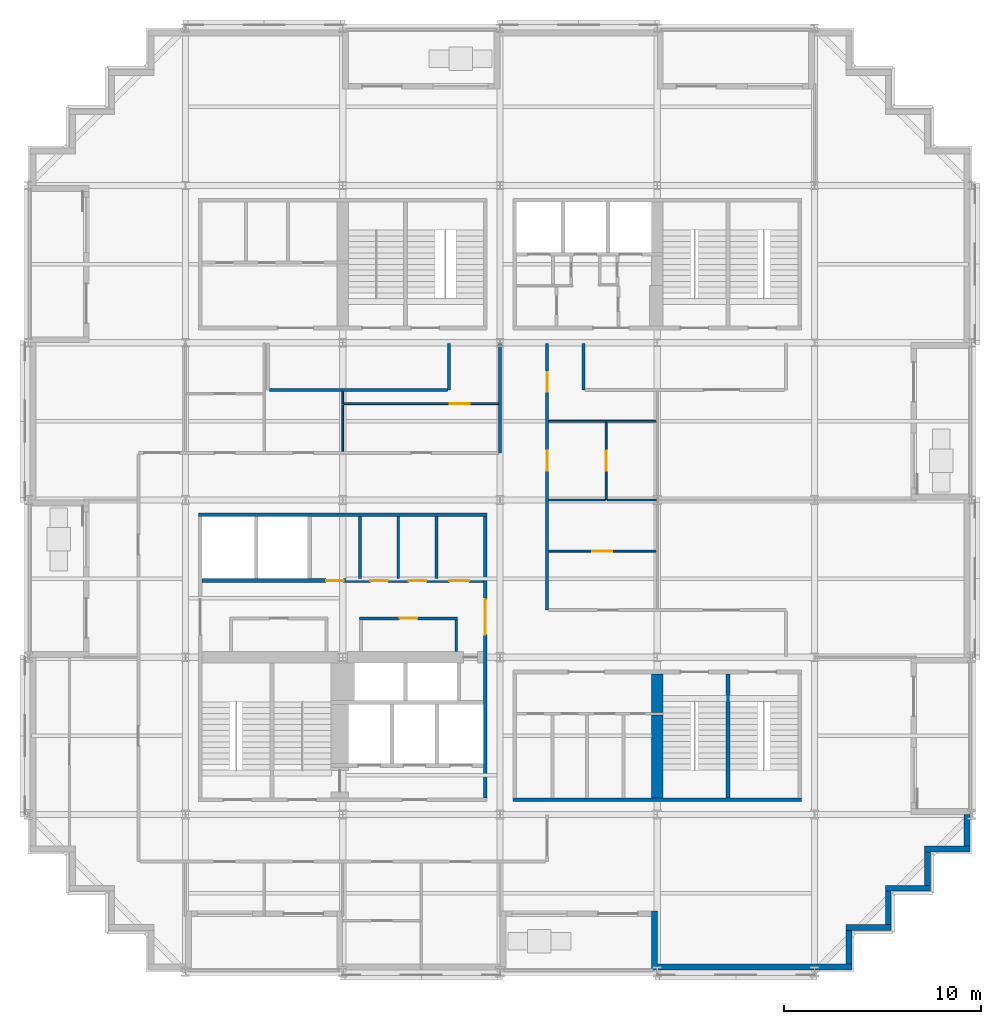
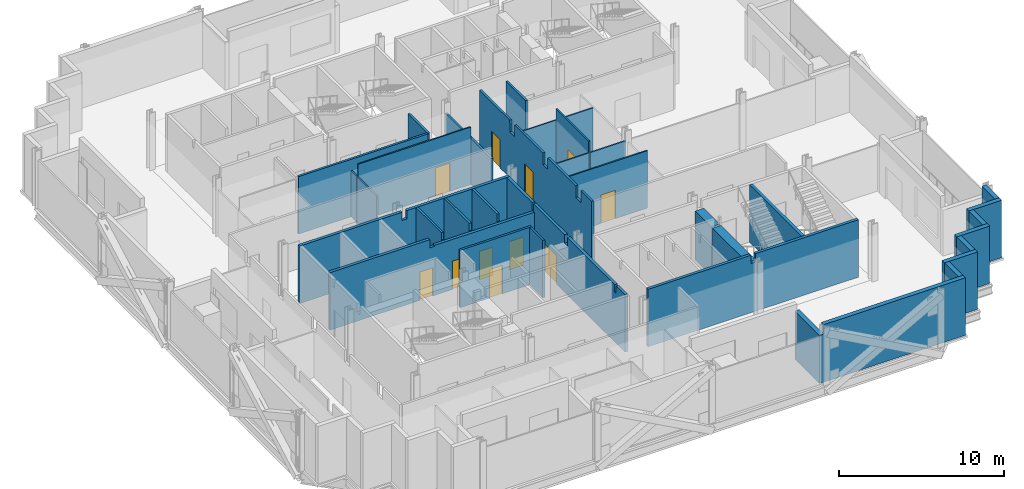
# One storey, part 7 of 14: 35 walls, 11 doors, 11 openings.
"""IFC4 building model written with IfcOpenShell, lengths in metres."""

from ifc_helpers import new_model, si_unit, direction, frame, frame_2d, origin, place, context, subcontext, project, spatial, polyline, rectangle, outline, extrude, material, layer, layer_set, type_object, element, fill, save


model = new_model("IFC4")

# Units and contexts
model_context = context("Model", 3, precision=1e-05, world=origin(), true_north=direction((0.0, 1.0)))
body_context = subcontext(model_context, "Body", "Model", "MODEL_VIEW")
ifc_project = project(units=[si_unit("LENGTHUNIT", "METRE"), si_unit("AREAUNIT", "SQUARE_METRE"), si_unit("VOLUMEUNIT", "CUBIC_METRE"), si_unit("PLANEANGLEUNIT", "RADIAN"), si_unit("MASSUNIT", "GRAM", prefix="KILO")], contexts=[model_context])

# Site, building, storey
site_placement = place(None, origin())
site = spatial("IfcSite", under=ifc_project, at=site_placement, CompositionType="ELEMENT")
building_placement = place(site_placement, origin())
building = spatial("IfcBuilding", under=site, at=building_placement, Name="Immortelle Media Tower", CompositionType="ELEMENT")
storey_placement = place(building_placement, frame((0.0, 0.0, 39.199951171875)))
storey = spatial("IfcBuildingStorey", under=building, at=storey_placement, Name="L05", CompositionType="ELEMENT", Elevation=39.199951171875)

# Wall
ifc_material_1 = material(Name="Fire-rated gypsum board", Category="gypsum")
ifc_layer_1 = layer(ifc_material_1, 0.02490234375)
ifc_material_2 = material(Name="Steel ASTM A653 SS Gr 50 stud frame with mineral wool", Category="steel")
ifc_layer_2 = layer(ifc_material_2, 0.10009765625)
ifc_layer_3 = layer(ifc_material_1, 0.02490234375)
ifc_layer_set_1 = layer_set([ifc_layer_1, ifc_layer_2, ifc_layer_3], Name="Steel ASTM A653 SS Gr 50 stud frame with mineral wool")
wall_type_1 = type_object("IfcWallType", Name="Core partition 150", PredefinedType="PARTITIONING", material=ifc_layer_set_1)
wall_1_placement = place(storey_placement, frame((16.875, 20.0, 0.0), z_axis=(0.0, 0.0, 1.0), x_axis=(0.0, 1.0, 0.0)))
element("IfcWall", 1, at=wall_1_placement, inside=storey, type_object=wall_type_1, Name="Core partition SW", PredefinedType="PARTITIONING", context=body_context, shape_type="SweptSolid", body=[
    extrude(outline(polyline([(0.0, 0.0), (3.14990234375, 0.0), (3.14990234375, 4.25), (0.08837890625, 4.25), (0.08740234375, 3.7080078125), (0.0, 3.7080078125), (0.0, 0.0)])), frame((0.0, 0.074951171875, 0.0), z_axis=(0.0, -1.0, 0.0), x_axis=(1.0, 0.0, 0.0)), (0.0, 0.0, 1.0), 0.14990234375),
])

# Wall, opening, door
wall_2_placement = place(storey_placement, frame((16.85009765625, 17.97509765625, 0.0), z_axis=(0.0, 0.0, 1.0), x_axis=(1.0, 0.0, 0.0)))
wall_2 = element("IfcWall", 2, at=wall_2_placement, inside=storey, type_object=wall_type_1, Name="Core partition SW", PredefinedType="PARTITIONING", context=body_context, shape_type="SweptSolid", body=[
    extrude(rectangle(XDim=5.0, YDim=0.14990234375, at=frame_2d((2.5, 0.0))), origin(), (0.0, 0.0, 1.0), 4.25),
])
opening_1_placement = place(wall_2_placement, frame((2.949951171875, 0.0, 0.0), z_axis=(0.0, 0.0, 1.0), x_axis=(-1.0, 0.0, 0.0)))
opening_1 = element("IfcOpeningElement", 3, at=opening_1_placement, cuts=wall_2, Name="Opening N1-K037", PredefinedType="OPENING", context=body_context, shape_type="SweptSolid", body=[
    extrude(rectangle(XDim=0.89990234375, YDim=2.10009765625, at=frame_2d((0.449951171875, 1.050048828125))), frame((0.0, 0.0849609375, 0.0), z_axis=(0.0, -1.0, 0.0), x_axis=(1.0, 0.0, 0.0)), (0.0, 0.0, 1.0), 0.169921875),
])
ifc_material_3 = material(Name="Timber", Category="wood")
door_type_1 = type_object("IfcDoorType", Name="Room door 900 x 2100", OperationType="NOTDEFINED", PredefinedType="NOTDEFINED", material=ifc_material_3)
door_1_placement = place(opening_1_placement, origin())
door_1 = element("IfcDoor", 4, at=door_1_placement, inside=storey, type_object=door_type_1, Name="Room N1-K037", OperationType="SINGLE_SWING_RIGHT", OverallHeight=2.10009765625, OverallWidth=0.89990234375, PredefinedType="NOTDEFINED", context=body_context, shape_type="SweptSolid", body=[
    extrude(rectangle(XDim=0.89990234375, YDim=2.10009765625, at=frame_2d((0.449951171875, 1.050048828125))), frame((0.0, 0.02490234375, 0.0), z_axis=(0.0, -1.0, 0.0), x_axis=(1.0, 0.0, 0.0)), (0.0, 0.0, 1.0), 0.050048828125),
])
fill(opening_1, door_1)

# Walls
for number, where, z_axis, x_axis, name in (
    (5, (18.824951171875, 20.0, 0.0), (0.0, 0.0, 1.0), (0.0, 1.0, 0.0), "Core partition SW"),
    (6, (20.77490234375, 20.0, 0.0), (0.0, 0.0, 1.0), (0.0, 1.0, 0.0), "Core partition SW"),
):
    element("IfcWall", number, at=place(storey_placement, frame(where, z_axis=z_axis, x_axis=x_axis)), inside=storey, type_object=wall_type_1, Name=name, PredefinedType="PARTITIONING", context=body_context, shape_type="SweptSolid", body=[
        extrude(outline(polyline([(0.0, 0.0), (3.14990234375, 0.0), (3.14990234375, 4.25), (0.08837890625, 4.25), (0.08740234375, 3.7080078125), (0.0, 3.7080078125), (0.0, 0.0)])), frame((0.0, 0.074951171875, 0.0), z_axis=(0.0, -1.0, 0.0), x_axis=(1.0, 0.0, 0.0)), (0.0, 0.0, 1.0), 0.14990234375),
    ])
wall_3_placement = place(storey_placement, frame((21.77490234375, 16.300048828125, 0.0), z_axis=(0.0, 0.0, 1.0), x_axis=(0.0, 1.0, 0.0)))
element("IfcWall", 7, at=wall_3_placement, inside=storey, type_object=wall_type_1, Name="Core partition SW", PredefinedType="PARTITIONING", context=body_context, shape_type="SweptSolid", body=[
    extrude(rectangle(XDim=1.599853515625, YDim=0.14990234375, at=frame_2d((0.7998046875, 0.0))), origin(), (0.0, 0.0, 1.0), 4.25),
])
ifc_layer_4 = layer(ifc_material_1, 0.03759765625)
ifc_layer_5 = layer(ifc_material_2, 0.125)
ifc_layer_6 = layer(ifc_material_1, 0.03759765625)
ifc_layer_set_2 = layer_set([ifc_layer_4, ifc_layer_5, ifc_layer_6], Name="Steel ASTM A653 SS Gr 50 stud frame with mineral wool")
wall_type_2 = type_object("IfcWallType", Name="Core shaft wall 200", PredefinedType="PARTITIONING", material=ifc_layer_set_2)
wall_4_placement = place(storey_placement, frame((8.64990234375, 23.25, 0.0), z_axis=(0.0, 0.0, 1.0), x_axis=(1.0, 0.0, 0.0)))
element("IfcWall", 8, at=wall_4_placement, inside=storey, type_object=wall_type_2, Name="Core shaft wall SW", PredefinedType="PARTITIONING", context=body_context, shape_type="SweptSolid", body=[
    extrude(outline(polyline([(0.0, 0.0), (14.7001953125, 0.0), (14.699951171875, 4.25), (7.51708984375, 4.25), (7.51611328125, 3.632080078125), (7.18408203125, 3.632080078125), (7.18310546875, 4.25), (0.0, 4.25), (0.0, 0.0)])), frame((0.0, 0.10009765625, 0.0), z_axis=(0.0, -1.0, 0.0), x_axis=(1.0, 0.0, 0.0)), (0.0, 0.0, 1.0), 0.199951171875),
])

# Wall, openings, doors
wall_5_placement = place(storey_placement, frame((8.85009765625, 19.89990234375, 0.0), z_axis=(0.0, 0.0, 1.0), x_axis=(1.0, 0.0, 0.0)))
wall_5 = element("IfcWall", 9, at=wall_5_placement, inside=storey, type_object=wall_type_2, Name="Core shaft wall SW", PredefinedType="PARTITIONING", context=body_context, shape_type="SweptSolid", body=[
    extrude(outline(polyline([(0.0, 0.0), (14.2998046875, 0.0), (14.300048828125, 3.7080078125), (7.31689453125, 3.7080078125), (7.31591796875, 3.632080078125), (6.98388671875, 3.632080078125), (6.98291015625, 4.25), (0.0, 4.25), (0.0, 0.0)])), frame((0.0, 0.10009765625, 0.0), z_axis=(0.0, -1.0, 0.0), x_axis=(1.0, 0.0, 0.0)), (0.0, 0.0, 1.0), 0.199951171875),
])
opening_2_placement = place(wall_5_placement, frame((6.300048828125, 0.0, 0.0)))
opening_2 = element("IfcOpeningElement", 10, at=opening_2_placement, cuts=wall_5, Name="Opening N1-K035", PredefinedType="OPENING", context=body_context, shape_type="SweptSolid", body=[
    extrude(rectangle(XDim=0.89990234375, YDim=2.10009765625, at=frame_2d((0.449951171875, 1.050048828125))), frame((0.0, 0.10986328125, 0.0), z_axis=(0.0, -1.0, 0.0), x_axis=(1.0, 0.0, 0.0)), (0.0, 0.0, 1.0), 0.219970703125),
])
opening_3_placement = place(wall_5_placement, frame((8.550048828125, 0.0, 0.0)))
opening_3 = element("IfcOpeningElement", 11, at=opening_3_placement, cuts=wall_5, Name="Opening N1-K036", PredefinedType="OPENING", context=body_context, shape_type="SweptSolid", body=[
    extrude(rectangle(XDim=0.89990234375, YDim=2.10009765625, at=frame_2d((0.449951171875, 1.050048828125))), frame((0.0, 0.10986328125, 0.0), z_axis=(0.0, -1.0, 0.0), x_axis=(1.0, 0.0, 0.0)), (0.0, 0.0, 1.0), 0.219970703125),
])
opening_4_placement = place(wall_5_placement, frame((10.5, 0.0, 0.0)))
opening_4 = element("IfcOpeningElement", 12, at=opening_4_placement, cuts=wall_5, Name="Opening N1-K038", PredefinedType="OPENING", context=body_context, shape_type="SweptSolid", body=[
    extrude(rectangle(XDim=0.89990234375, YDim=2.10009765625, at=frame_2d((0.449951171875, 1.050048828125))), frame((0.0, 0.10986328125, 0.0), z_axis=(0.0, -1.0, 0.0), x_axis=(1.0, 0.0, 0.0)), (0.0, 0.0, 1.0), 0.219970703125),
])
opening_5_placement = place(wall_5_placement, frame((12.574951171875, 0.0, 0.0)))
opening_5 = element("IfcOpeningElement", 13, at=opening_5_placement, cuts=wall_5, Name="Opening N1-K039", PredefinedType="OPENING", context=body_context, shape_type="SweptSolid", body=[
    extrude(rectangle(XDim=1.0, YDim=2.10009765625, at=frame_2d((0.5, 1.050048828125))), frame((0.0, 0.10986328125, 0.0), z_axis=(0.0, -1.0, 0.0), x_axis=(1.0, 0.0, 0.0)), (0.0, 0.0, 1.0), 0.219970703125),
])
door_type_2 = type_object("IfcDoorType", Name="Accessible toilet door 1000 x 2100", OperationType="NOTDEFINED", PredefinedType="NOTDEFINED", material=ifc_material_3)
door_2_placement = place(opening_5_placement, origin())
door_2 = element("IfcDoor", 14, at=door_2_placement, inside=storey, type_object=door_type_2, Name="Accessible toilet N1-K039", OperationType="SINGLE_SWING_LEFT", OverallHeight=2.10009765625, OverallWidth=1.0, PredefinedType="NOTDEFINED", context=body_context, shape_type="SweptSolid", body=[
    extrude(rectangle(XDim=1.0, YDim=2.10009765625, at=frame_2d((0.5, 1.050048828125))), frame((0.0, 0.02490234375, 0.0), z_axis=(0.0, -1.0, 0.0), x_axis=(1.0, 0.0, 0.0)), (0.0, 0.0, 1.0), 0.050048828125),
])
fill(opening_5, door_2)
door_3_placement = place(opening_2_placement, origin())
door_3 = element("IfcDoor", 15, at=door_3_placement, inside=storey, type_object=door_type_1, Name="Room N1-K035", OperationType="SINGLE_SWING_LEFT", OverallHeight=2.10009765625, OverallWidth=0.89990234375, PredefinedType="NOTDEFINED", context=body_context, shape_type="SweptSolid", body=[
    extrude(rectangle(XDim=0.89990234375, YDim=2.10009765625, at=frame_2d((0.449951171875, 1.050048828125))), frame((0.0, 0.02490234375, 0.0), z_axis=(0.0, -1.0, 0.0), x_axis=(1.0, 0.0, 0.0)), (0.0, 0.0, 1.0), 0.050048828125),
])
fill(opening_2, door_3)
door_type_3 = type_object("IfcDoorType", Name="Toilet door 900 x 2100", OperationType="NOTDEFINED", PredefinedType="NOTDEFINED", material=ifc_material_3)
door_4_placement = place(opening_3_placement, origin())
door_4 = element("IfcDoor", 16, at=door_4_placement, inside=storey, type_object=door_type_3, Name="Toilet N1-K036", OperationType="SINGLE_SWING_LEFT", OverallHeight=2.10009765625, OverallWidth=0.89990234375, PredefinedType="NOTDEFINED", context=body_context, shape_type="SweptSolid", body=[
    extrude(rectangle(XDim=0.89990234375, YDim=2.10009765625, at=frame_2d((0.449951171875, 1.050048828125))), frame((0.0, 0.02490234375, 0.0), z_axis=(0.0, -1.0, 0.0), x_axis=(1.0, 0.0, 0.0)), (0.0, 0.0, 1.0), 0.050048828125),
])
fill(opening_3, door_4)
door_5_placement = place(opening_4_placement, origin())
door_5 = element("IfcDoor", 17, at=door_5_placement, inside=storey, type_object=door_type_3, Name="Toilet N1-K038", OperationType="SINGLE_SWING_LEFT", OverallHeight=2.10009765625, OverallWidth=0.89990234375, PredefinedType="NOTDEFINED", context=body_context, shape_type="SweptSolid", body=[
    extrude(rectangle(XDim=0.89990234375, YDim=2.10009765625, at=frame_2d((0.449951171875, 1.050048828125))), frame((0.0, 0.02490234375, 0.0), z_axis=(0.0, -1.0, 0.0), x_axis=(1.0, 0.0, 0.0)), (0.0, 0.0, 1.0), 0.050048828125),
])
fill(opening_4, door_5)

# Wall, opening, door
wall_6_placement = place(storey_placement, frame((23.25, 8.85009765625, 0.0), z_axis=(0.0, 0.0, 1.0), x_axis=(0.0, 1.0, 0.0)))
wall_6 = element("IfcWall", 18, at=wall_6_placement, inside=storey, type_object=wall_type_2, Name="Core shaft wall SW", PredefinedType="PARTITIONING", context=body_context, shape_type="SweptSolid", body=[
    extrude(outline(polyline([(0.0, 0.0), (14.2998046875, 0.0), (14.300048828125, 4.25), (11.238525390625, 4.25), (11.237548828125, 3.7080078125), (11.0625, 3.7080078125), (11.0615234375, 4.25), (7.31689453125, 4.25), (7.31591796875, 3.632080078125), (6.98388671875, 3.632080078125), (6.98291015625, 4.25), (1.238525390625, 4.25), (1.237548828125, 3.7080078125), (1.0625, 3.7080078125), (1.0615234375, 4.25), (0.0, 4.25), (0.0, 0.0)])), frame((0.0, 0.10009765625, 0.0), z_axis=(0.0, -1.0, 0.0), x_axis=(1.0, 0.0, 0.0)), (0.0, 0.0, 1.0), 0.199951171875),
])
opening_6_placement = place(wall_6_placement, frame((8.300048828125, 0.0, 0.0)))
opening_6 = element("IfcOpeningElement", 19, at=opening_6_placement, cuts=wall_6, Name="Opening N1-K014", PredefinedType="OPENING", context=body_context, shape_type="SweptSolid", body=[
    extrude(rectangle(XDim=1.800048828125, YDim=2.10009765625, at=frame_2d((0.89990234375, 1.050048828125))), frame((0.0, 0.10986328125, 0.0), z_axis=(0.0, -1.0, 0.0), x_axis=(1.0, 0.0, 0.0)), (0.0, 0.0, 1.0), 0.219970703125),
])
ifc_material_4 = material(Name="Galvanised steel door leaf and frame ASTM A653", Category="steel")
door_type_4 = type_object("IfcDoorType", Name="Lift lobby door 1800 x 2100", OperationType="DOUBLE_DOOR_SINGLE_SWING", PredefinedType="NOTDEFINED", material=ifc_material_4)
door_6_placement = place(opening_6_placement, origin())
door_6 = element("IfcDoor", 20, at=door_6_placement, inside=storey, type_object=door_type_4, Name="Lift lobby N1-K014", OperationType="DOUBLE_DOOR_SINGLE_SWING", OverallHeight=2.10009765625, OverallWidth=1.800048828125, PredefinedType="NOTDEFINED", context=body_context, shape_type="SweptSolid", body=[
    extrude(rectangle(XDim=1.800048828125, YDim=2.10009765625, at=frame_2d((0.89990234375, 1.050048828125))), frame((0.0, 0.02490234375, 0.0), z_axis=(0.0, -1.0, 0.0), x_axis=(1.0, 0.0, 0.0)), (0.0, 0.0, 1.0), 0.050048828125),
])
fill(opening_6, door_6)

# Wall, openings, doors
ifc_layer_7 = layer(ifc_material_1, 0.012451171875)
ifc_layer_8 = layer(ifc_material_2, 0.125)
ifc_layer_9 = layer(ifc_material_1, 0.012451171875)
ifc_layer_set_3 = layer_set([ifc_layer_7, ifc_layer_8, ifc_layer_9], Name="Steel ASTM A653 SS Gr 50 stud frame with mineral wool")
wall_type_3 = type_object("IfcWallType", Name="Corridor wall 150", PredefinedType="PARTITIONING", material=ifc_layer_set_3)
wall_7_placement = place(storey_placement, frame((26.39990234375, 18.39990234375, 0.0), z_axis=(0.0, 0.0, 1.0), x_axis=(0.0, 1.0, 0.0)))
wall_7 = element("IfcWall", 21, at=wall_7_placement, inside=storey, type_object=wall_type_3, Name="Partition L05-016", PredefinedType="PARTITIONING", context=body_context, shape_type="SweptSolid", body=[
    extrude(outline(polyline([(0.0, 0.0), (13.570068359375, 0.0), (13.570068359375, 4.25), (9.89990234375, 4.25), (9.89794921875, 3.39111328125), (9.302001953125, 3.39111328125), (9.300048828125, 4.25), (5.89990234375, 4.25), (5.89794921875, 3.39111328125), (5.302001953125, 3.39111328125), (5.300048828125, 4.25), (1.89990234375, 4.25), (1.89794921875, 3.39111328125), (1.302001953125, 3.39111328125), (1.300048828125, 4.25), (0.0, 4.25), (0.0, 0.0)])), frame((0.0, 0.074951171875, 0.0), z_axis=(0.0, -1.0, 0.0), x_axis=(1.0, 0.0, 0.0)), (0.0, 0.0, 1.0), 0.14990234375),
])
opening_7_placement = place(wall_7_placement, frame((8.10009765625, 0.0, 0.0), z_axis=(0.0, 0.0, 1.0), x_axis=(-1.0, 0.0, 0.0)))
opening_7 = element("IfcOpeningElement", 22, at=opening_7_placement, cuts=wall_7, Name="Opening N1-F013", PredefinedType="OPENING", context=body_context, shape_type="SweptSolid", body=[
    extrude(rectangle(XDim=1.0, YDim=2.10009765625, at=frame_2d((0.5, 1.050048828125))), frame((0.0, 0.0849609375, 0.0), z_axis=(0.0, -1.0, 0.0), x_axis=(1.0, 0.0, 0.0)), (0.0, 0.0, 1.0), 0.169921875),
])
opening_8_placement = place(wall_7_placement, frame((12.10009765625, 0.0, 0.0), z_axis=(0.0, 0.0, 1.0), x_axis=(-1.0, 0.0, 0.0)))
opening_8 = element("IfcOpeningElement", 23, at=opening_8_placement, cuts=wall_7, Name="Opening N1-F015", PredefinedType="OPENING", context=body_context, shape_type="SweptSolid", body=[
    extrude(rectangle(XDim=1.0, YDim=2.10009765625, at=frame_2d((0.5, 1.050048828125))), frame((0.0, 0.0849609375, 0.0), z_axis=(0.0, -1.0, 0.0), x_axis=(1.0, 0.0, 0.0)), (0.0, 0.0, 1.0), 0.169921875),
])
ifc_material_5 = material(Name="Timber veneered door leaf, galvanised steel frame ASTM A653", Category="steel")
door_type_5 = type_object("IfcDoorType", Name="Room door 1000 x 2100", OperationType="NOTDEFINED", PredefinedType="DOOR", material=ifc_material_5)
door_7_placement = place(opening_7_placement, origin())
door_7 = element("IfcDoor", 24, at=door_7_placement, inside=storey, type_object=door_type_5, Name="Door N1-F013", OperationType="SINGLE_SWING_LEFT", OverallHeight=2.10009765625, OverallWidth=1.0, PredefinedType="DOOR", context=body_context, shape_type="SweptSolid", body=[
    extrude(rectangle(XDim=1.0, YDim=2.10009765625, at=frame_2d((0.5, 1.050048828125))), frame((0.0, 0.02490234375, 0.0), z_axis=(0.0, -1.0, 0.0), x_axis=(1.0, 0.0, 0.0)), (0.0, 0.0, 1.0), 0.050048828125),
])
fill(opening_7, door_7)
door_8_placement = place(opening_8_placement, origin())
door_8 = element("IfcDoor", 25, at=door_8_placement, inside=storey, type_object=door_type_5, Name="Door N1-F015", OperationType="SINGLE_SWING_RIGHT", OverallHeight=2.10009765625, OverallWidth=1.0, PredefinedType="DOOR", context=body_context, shape_type="SweptSolid", body=[
    extrude(rectangle(XDim=1.0, YDim=2.10009765625, at=frame_2d((0.5, 1.050048828125))), frame((0.0, 0.02490234375, 0.0), z_axis=(0.0, -1.0, 0.0), x_axis=(1.0, 0.0, 0.0)), (0.0, 0.0, 1.0), 0.050048828125),
])
fill(opening_8, door_8)

# Walls
wall_8_placement = place(storey_placement, frame((24.0, 26.39990234375, 0.0), z_axis=(0.0, 0.0, 1.0), x_axis=(0.0, 1.0, 0.0)))
element("IfcWall", 26, at=wall_8_placement, inside=storey, type_object=wall_type_3, Name="Partition L05-030", PredefinedType="PARTITIONING", context=body_context, shape_type="SweptSolid", body=[
    extrude(rectangle(XDim=5.570068359375, YDim=0.14990234375, at=frame_2d((2.78515625, 0.0))), origin(), (0.0, 0.0, 1.0), 3.39111328125),
])
wall_9_placement = place(storey_placement, frame((12.27490234375, 29.60009765625, 0.0), z_axis=(0.0, 0.0, 1.0), x_axis=(1.0, 0.0, 0.0)))
element("IfcWall", 27, at=wall_9_placement, inside=storey, type_object=wall_type_3, Name="Partition L05-039", PredefinedType="PARTITIONING", context=body_context, shape_type="SweptSolid", body=[
    extrude(rectangle(XDim=9.050048828125, YDim=0.14990234375, at=frame_2d((4.52490234375, 0.0))), origin(), (0.0, 0.0, 1.0), 4.25),
])
for number, where, z_axis, x_axis, name in (
    (28, (21.39990234375, 29.60009765625, 0.0), (0.0, 0.0, 1.0), (0.0, 1.0, 0.0), "Partition L05-041"),
    (29, (28.25, 29.60009765625, 0.0), (0.0, 0.0, 1.0), (0.0, 1.0, 0.0), "Partition L05-043"),
):
    element("IfcWall", number, at=place(storey_placement, frame(where, z_axis=z_axis, x_axis=x_axis)), inside=storey, type_object=wall_type_3, Name=name, PredefinedType="PARTITIONING", context=body_context, shape_type="SweptSolid", body=[
        extrude(rectangle(XDim=2.369873046875, YDim=0.14990234375, at=frame_2d((1.18505859375, 0.0))), origin(), (0.0, 0.0, 1.0), 4.25),
    ])
ifc_material_6 = material(Name="Pale aluminium cladding panel", Category="aluminium")
ifc_layer_10 = layer(ifc_material_6, 0.030029296875)
ifc_layer_11 = layer(ifc_material_2, 0.257568359375)
ifc_material_7 = material(Name="Moisture-resistant gypsum board", Category="gypsum")
ifc_layer_12 = layer(ifc_material_7, 0.012451171875)
ifc_layer_set_4 = layer_set([ifc_layer_10, ifc_layer_11, ifc_layer_12], Name="Steel ASTM A653 SS Gr 50 stud frame with mineral wool")
wall_type_4 = type_object("IfcWallType", Name="Facade wall 300", PredefinedType="SOLIDWALL", material=ifc_layer_set_4)
wall_10_placement = place(storey_placement, frame((31.85009765625, 0.10009765625, 0.0), z_axis=(0.0, 0.0, 1.0), x_axis=(0.0, 1.0, 0.0)))
element("IfcWall", 30, at=wall_10_placement, inside=storey, type_object=wall_type_4, Name="Loggia cheek wall L05 S", PredefinedType="SOLIDWALL", context=body_context, shape_type="SweptSolid", body=[
    extrude(rectangle(XDim=3.0, YDim=0.300048828125, at=frame_2d((1.5, 0.0))), origin(), (0.0, 0.0, 1.0), 3.552978515625),
])
wall_11_placement = place(storey_placement, frame((32.0, 0.25, 0.0), z_axis=(0.0, 0.0, 1.0), x_axis=(1.0, 0.0, 0.0)))
element("IfcWall", 31, at=wall_11_placement, inside=storey, type_object=wall_type_4, Name="Facade wall L05 S7", PredefinedType="SOLIDWALL", context=body_context, shape_type="SweptSolid", body=[
    extrude(rectangle(XDim=9.89990234375, YDim=0.300048828125, at=frame_2d((4.949951171875, 0.0))), origin(), (0.0, 0.0, 1.0), 4.25),
])
wall_12_placement = place(storey_placement, frame((41.75, 0.39990234375, 0.0), z_axis=(0.0, 0.0, 1.0), x_axis=(0.0, 1.0, 0.0)))
element("IfcWall", 32, at=wall_12_placement, inside=storey, type_object=wall_type_4, Name="Facade wall L05 E8", PredefinedType="SOLIDWALL", context=body_context, shape_type="SweptSolid", body=[
    extrude(rectangle(XDim=1.7001953125, YDim=0.300048828125, at=frame_2d((0.85009765625, 0.0))), origin(), (0.0, 0.0, 1.0), 4.25),
])
wall_13_placement = place(storey_placement, frame((41.60009765625, 2.25, 0.0), z_axis=(0.0, 0.0, 1.0), x_axis=(1.0, 0.0, 0.0)))
element("IfcWall", 33, at=wall_13_placement, inside=storey, type_object=wall_type_4, Name="Facade wall L05 S9", PredefinedType="SOLIDWALL", context=body_context, shape_type="SweptSolid", body=[
    extrude(rectangle(XDim=2.2998046875, YDim=0.300048828125, at=frame_2d((1.14990234375, 0.0))), origin(), (0.0, 0.0, 1.0), 4.25),
])
wall_14_placement = place(storey_placement, frame((43.75, 2.39990234375, 0.0), z_axis=(0.0, 0.0, 1.0), x_axis=(0.0, 1.0, 0.0)))
element("IfcWall", 34, at=wall_14_placement, inside=storey, type_object=wall_type_4, Name="Facade wall L05 E10", PredefinedType="SOLIDWALL", context=body_context, shape_type="SweptSolid", body=[
    extrude(rectangle(XDim=1.7001953125, YDim=0.300048828125, at=frame_2d((0.85009765625, 0.0))), origin(), (0.0, 0.0, 1.0), 4.25),
])
wall_15_placement = place(storey_placement, frame((43.60009765625, 4.25, 0.0), z_axis=(0.0, 0.0, 1.0), x_axis=(1.0, 0.0, 0.0)))
element("IfcWall", 35, at=wall_15_placement, inside=storey, type_object=wall_type_4, Name="Facade wall L05 S11", PredefinedType="SOLIDWALL", context=body_context, shape_type="SweptSolid", body=[
    extrude(rectangle(XDim=2.2998046875, YDim=0.300048828125, at=frame_2d((1.14990234375, 0.0))), origin(), (0.0, 0.0, 1.0), 4.25),
])
wall_16_placement = place(storey_placement, frame((45.75, 4.39990234375, 0.0), z_axis=(0.0, 0.0, 1.0), x_axis=(0.0, 1.0, 0.0)))
element("IfcWall", 36, at=wall_16_placement, inside=storey, type_object=wall_type_4, Name="Facade wall L05 E12", PredefinedType="SOLIDWALL", context=body_context, shape_type="SweptSolid", body=[
    extrude(rectangle(XDim=1.7001953125, YDim=0.300048828125, at=frame_2d((0.85009765625, 0.0))), origin(), (0.0, 0.0, 1.0), 4.25),
])
wall_17_placement = place(storey_placement, frame((45.60009765625, 6.25, 0.0), z_axis=(0.0, 0.0, 1.0), x_axis=(1.0, 0.0, 0.0)))
element("IfcWall", 37, at=wall_17_placement, inside=storey, type_object=wall_type_4, Name="Facade wall L05 S13", PredefinedType="SOLIDWALL", context=body_context, shape_type="SweptSolid", body=[
    extrude(rectangle(XDim=2.2998046875, YDim=0.300048828125, at=frame_2d((1.14990234375, 0.0))), origin(), (0.0, 0.0, 1.0), 4.25),
])
wall_18_placement = place(storey_placement, frame((47.75, 6.39990234375, 0.0), z_axis=(0.0, 0.0, 1.0), x_axis=(0.0, 1.0, 0.0)))
element("IfcWall", 38, at=wall_18_placement, inside=storey, type_object=wall_type_4, Name="Facade wall L05 E14", PredefinedType="SOLIDWALL", context=body_context, shape_type="SweptSolid", body=[
    extrude(rectangle(XDim=1.60009765625, YDim=0.300048828125, at=frame_2d((0.800048828125, 0.0))), origin(), (0.0, 0.0, 1.0), 4.25),
])

# Wall, opening, door
ifc_material_8 = material(Name="Gypsum board", Category="gypsum")
ifc_layer_13 = layer(ifc_material_8, 0.012451171875)
ifc_layer_14 = layer(ifc_material_2, 0.074951171875)
ifc_layer_15 = layer(ifc_material_8, 0.012451171875)
ifc_layer_set_5 = layer_set([ifc_layer_13, ifc_layer_14, ifc_layer_15], Name="Steel ASTM A653 SS Gr 50 stud frame with mineral wool")
wall_type_5 = type_object("IfcWallType", Name="Partition 100", PredefinedType="PARTITIONING", material=ifc_layer_set_5)
wall_19_placement = place(storey_placement, frame((26.47509765625, 21.39990234375, 0.0), z_axis=(0.0, 0.0, 1.0), x_axis=(1.0, 0.0, 0.0)))
wall_19 = element("IfcWall", 39, at=wall_19_placement, inside=storey, type_object=wall_type_5, Name="Partition L05-018", PredefinedType="PARTITIONING", context=body_context, shape_type="SweptSolid", body=[
    extrude(rectangle(XDim=5.474853515625, YDim=0.10009765625, at=frame_2d((2.7373046875, 0.0))), origin(), (0.0, 0.0, 1.0), 4.25),
])
opening_9_placement = place(wall_19_placement, frame((2.22509765625, 0.0, 0.0)))
opening_9 = element("IfcOpeningElement", 40, at=opening_9_placement, cuts=wall_19, Name="Opening N1-F012", PredefinedType="OPENING", context=body_context, shape_type="SweptSolid", body=[
    extrude(rectangle(XDim=1.0, YDim=2.10009765625, at=frame_2d((0.5, 1.050048828125))), frame((0.0, 0.06005859375, 0.0), z_axis=(0.0, -1.0, 0.0), x_axis=(1.0, 0.0, 0.0)), (0.0, 0.0, 1.0), 0.1201171875),
])
door_9_placement = place(opening_9_placement, origin())
door_9 = element("IfcDoor", 41, at=door_9_placement, inside=storey, type_object=door_type_5, Name="Door N1-F012", OperationType="SINGLE_SWING_RIGHT", OverallHeight=2.10009765625, OverallWidth=1.0, PredefinedType="DOOR", context=body_context, shape_type="SweptSolid", body=[
    extrude(rectangle(XDim=1.0, YDim=2.10009765625, at=frame_2d((0.5, 1.050048828125))), frame((0.0, 0.02490234375, 0.0), z_axis=(0.0, -1.0, 0.0), x_axis=(1.0, 0.0, 0.0)), (0.0, 0.0, 1.0), 0.050048828125),
])
fill(opening_9, door_9)

# Walls
wall_20_placement = place(storey_placement, frame((26.47509765625, 24.0, 0.0), z_axis=(0.0, 0.0, 1.0), x_axis=(1.0, 0.0, 0.0)))
element("IfcWall", 42, at=wall_20_placement, inside=storey, type_object=wall_type_5, Name="Partition L05-021", PredefinedType="PARTITIONING", context=body_context, shape_type="SweptSolid", body=[
    extrude(rectangle(XDim=2.875, YDim=0.10009765625, at=frame_2d((1.4375, 0.0))), origin(), (0.0, 0.0, 1.0), 3.39111328125),
])
wall_21_placement = place(storey_placement, frame((29.449951171875, 24.0, 0.0), z_axis=(0.0, 0.0, 1.0), x_axis=(1.0, 0.0, 0.0)))
element("IfcWall", 43, at=wall_21_placement, inside=storey, type_object=wall_type_5, Name="Partition L05-022", PredefinedType="PARTITIONING", context=body_context, shape_type="SweptSolid", body=[
    extrude(rectangle(XDim=2.5, YDim=0.10009765625, at=frame_2d((1.25, 0.0))), origin(), (0.0, 0.0, 1.0), 3.39111328125),
])

# Wall, opening, door
wall_22_placement = place(storey_placement, frame((29.39990234375, 24.0, 0.0), z_axis=(0.0, 0.0, 1.0), x_axis=(0.0, 1.0, 0.0)))
wall_22 = element("IfcWall", 44, at=wall_22_placement, inside=storey, type_object=wall_type_5, Name="Partition L05-023", PredefinedType="PARTITIONING", context=body_context, shape_type="SweptSolid", body=[
    extrude(rectangle(XDim=3.949951171875, YDim=0.10009765625, at=frame_2d((1.97509765625, 0.0))), origin(), (0.0, 0.0, 1.0), 4.25),
])
opening_10_placement = place(wall_22_placement, frame((1.5, 0.0, 0.0)))
opening_10 = element("IfcOpeningElement", 45, at=opening_10_placement, cuts=wall_22, Name="Opening N1-F014", PredefinedType="OPENING", context=body_context, shape_type="SweptSolid", body=[
    extrude(rectangle(XDim=1.0, YDim=2.10009765625, at=frame_2d((0.5, 1.050048828125))), frame((0.0, 0.06005859375, 0.0), z_axis=(0.0, -1.0, 0.0), x_axis=(1.0, 0.0, 0.0)), (0.0, 0.0, 1.0), 0.1201171875),
])
door_10_placement = place(opening_10_placement, origin())
door_10 = element("IfcDoor", 46, at=door_10_placement, inside=storey, type_object=door_type_5, Name="Door N1-F014", OperationType="SINGLE_SWING_LEFT", OverallHeight=2.10009765625, OverallWidth=1.0, PredefinedType="DOOR", context=body_context, shape_type="SweptSolid", body=[
    extrude(rectangle(XDim=1.0, YDim=2.10009765625, at=frame_2d((0.5, 1.050048828125))), frame((0.0, 0.02490234375, 0.0), z_axis=(0.0, -1.0, 0.0), x_axis=(1.0, 0.0, 0.0)), (0.0, 0.0, 1.0), 0.050048828125),
])
fill(opening_10, door_10)

# Walls
wall_23_placement = place(storey_placement, frame((16.0, 26.47509765625, 0.0), z_axis=(0.0, 0.0, 1.0), x_axis=(0.0, 1.0, 0.0)))
element("IfcWall", 47, at=wall_23_placement, inside=storey, type_object=wall_type_5, Name="Partition L05-029", PredefinedType="PARTITIONING", context=body_context, shape_type="SweptSolid", body=[
    extrude(rectangle(XDim=2.375, YDim=0.10009765625, at=frame_2d((1.1875, 0.0))), origin(), (0.0, 0.0, 1.0), 3.39111328125),
])
wall_24_placement = place(storey_placement, frame((26.47509765625, 28.0, 0.0), z_axis=(0.0, 0.0, 1.0), x_axis=(1.0, 0.0, 0.0)))
element("IfcWall", 48, at=wall_24_placement, inside=storey, type_object=wall_type_5, Name="Partition L05-031", PredefinedType="PARTITIONING", context=body_context, shape_type="SweptSolid", body=[
    extrude(rectangle(XDim=2.9248046875, YDim=0.10009765625, at=frame_2d((1.46240234375, 0.0))), origin(), (0.0, 0.0, 1.0), 3.39111328125),
])
wall_25_placement = place(storey_placement, frame((29.39990234375, 28.0, 0.0), z_axis=(0.0, 0.0, 1.0), x_axis=(1.0, 0.0, 0.0)))
element("IfcWall", 49, at=wall_25_placement, inside=storey, type_object=wall_type_5, Name="Partition L05-032", PredefinedType="PARTITIONING", context=body_context, shape_type="SweptSolid", body=[
    extrude(rectangle(XDim=2.550048828125, YDim=0.10009765625, at=frame_2d((1.27490234375, 0.0))), origin(), (0.0, 0.0, 1.0), 3.39111328125),
])

# Wall, opening, door
wall_26_placement = place(storey_placement, frame((16.050048828125, 28.89990234375, 0.0), z_axis=(0.0, 0.0, 1.0), x_axis=(1.0, 0.0, 0.0)))
wall_26 = element("IfcWall", 50, at=wall_26_placement, inside=storey, type_object=wall_type_5, Name="Partition L05-034", PredefinedType="PARTITIONING", context=body_context, shape_type="SweptSolid", body=[
    extrude(rectangle(XDim=7.875, YDim=0.10009765625, at=frame_2d((3.9375, 0.0))), origin(), (0.0, 0.0, 1.0), 4.25),
])
opening_11_placement = place(wall_26_placement, frame((5.39990234375, 0.0, 0.0)))
opening_11 = element("IfcOpeningElement", 51, at=opening_11_placement, cuts=wall_26, Name="Opening N1-F017", PredefinedType="OPENING", context=body_context, shape_type="SweptSolid", body=[
    extrude(rectangle(XDim=1.0, YDim=2.10009765625, at=frame_2d((0.5, 1.050048828125))), frame((0.0, 0.06005859375, 0.0), z_axis=(0.0, -1.0, 0.0), x_axis=(1.0, 0.0, 0.0)), (0.0, 0.0, 1.0), 0.1201171875),
])
door_11_placement = place(opening_11_placement, origin())
door_11 = element("IfcDoor", 52, at=door_11_placement, inside=storey, type_object=door_type_5, Name="Door N1-F017", OperationType="SINGLE_SWING_RIGHT", OverallHeight=2.10009765625, OverallWidth=1.0, PredefinedType="DOOR", context=body_context, shape_type="SweptSolid", body=[
    extrude(rectangle(XDim=1.0, YDim=2.10009765625, at=frame_2d((0.5, 1.050048828125))), frame((0.0, 0.02490234375, 0.0), z_axis=(0.0, -1.0, 0.0), x_axis=(1.0, 0.0, 0.0)), (0.0, 0.0, 1.0), 0.050048828125),
])
fill(opening_11, door_11)

# Walls
wall_27_placement = place(storey_placement, frame((16.0, 28.89990234375, 0.0), z_axis=(0.0, 0.0, 1.0), x_axis=(0.0, 1.0, 0.0)))
element("IfcWall", 53, at=wall_27_placement, inside=storey, type_object=wall_type_5, Name="Partition L05-035", PredefinedType="PARTITIONING", context=body_context, shape_type="SweptSolid", body=[
    extrude(rectangle(XDim=0.625, YDim=0.10009765625, at=frame_2d((0.3125, 0.0))), origin(), (0.0, 0.0, 1.0), 3.39111328125),
])
ifc_material_9 = material(Name="Concrete C60", Category="concrete")
ifc_layer_16 = layer(ifc_material_9, 0.199951171875)
ifc_layer_set_6 = layer_set([ifc_layer_16], Name="Concrete C60")
wall_type_6 = type_object("IfcWallType", Name="Stair shaft wall 200", PredefinedType="PARTITIONING", material=ifc_layer_set_6)
wall_28_placement = place(storey_placement, frame((24.64990234375, 8.75, 0.0), z_axis=(0.0, 0.0, 1.0), x_axis=(1.0, 0.0, 0.0)))
element("IfcWall", 54, at=wall_28_placement, inside=storey, type_object=wall_type_6, Name="Stair shaft wall SE", PredefinedType="PARTITIONING", context=body_context, shape_type="SweptSolid", body=[
    extrude(outline(polyline([(0.0, 0.0), (14.7001953125, 0.0), (14.699951171875, 4.25), (7.51708984375, 4.25), (7.51611328125, 3.632080078125), (7.18408203125, 3.632080078125), (7.18310546875, 4.25), (0.0, 4.25), (0.0, 0.0)])), frame((0.0, 0.10009765625, 0.0), z_axis=(0.0, -1.0, 0.0), x_axis=(1.0, 0.0, 0.0)), (0.0, 0.0, 1.0), 0.199951171875),
])
wall_29_placement = place(storey_placement, frame((35.60009765625, 8.85009765625, 0.0), z_axis=(0.0, 0.0, 1.0), x_axis=(0.0, 1.0, 0.0)))
element("IfcWall", 55, at=wall_29_placement, inside=storey, type_object=wall_type_6, Name="Stair shaft wall SE", PredefinedType="PARTITIONING", context=body_context, shape_type="SweptSolid", body=[
    extrude(rectangle(XDim=6.2998046875, YDim=0.199951171875, at=frame_2d((3.14990234375, 0.0))), origin(), (0.0, 0.0, 1.0), 4.25),
])
ifc_layer_17 = layer(ifc_material_9, 0.60009765625)
ifc_layer_set_7 = layer_set([ifc_layer_17], Name="Concrete C60")
wall_type_7 = type_object("IfcWallType", Name="Stair shaft wall 600", PredefinedType="PARTITIONING", material=ifc_layer_set_7)
wall_30_placement = place(storey_placement, frame((32.0, 8.85009765625, 0.0), z_axis=(0.0, 0.0, 1.0), x_axis=(0.0, 1.0, 0.0)))
element("IfcWall", 56, at=wall_30_placement, inside=storey, type_object=wall_type_7, Name="Stair shaft wall SE", PredefinedType="PARTITIONING", context=body_context, shape_type="SweptSolid", body=[
    extrude(rectangle(XDim=4.199951171875, YDim=0.60009765625, at=frame_2d((2.10009765625, 0.0))), origin(), (0.0, 0.0, 1.0), 3.632080078125),
])
wall_31_placement = place(storey_placement, frame((32.0, 13.199951171875, 0.0), z_axis=(0.0, 0.0, 1.0), x_axis=(0.0, 1.0, 0.0)))
element("IfcWall", 57, at=wall_31_placement, inside=storey, type_object=wall_type_7, Name="Stair shaft wall SE", PredefinedType="PARTITIONING", context=body_context, shape_type="SweptSolid", body=[
    extrude(rectangle(XDim=1.949951171875, YDim=0.60009765625, at=frame_2d((0.97509765625, 0.0))), origin(), (0.0, 0.0, 1.0), 3.632080078125),
])

save(model, "model.ifc")
